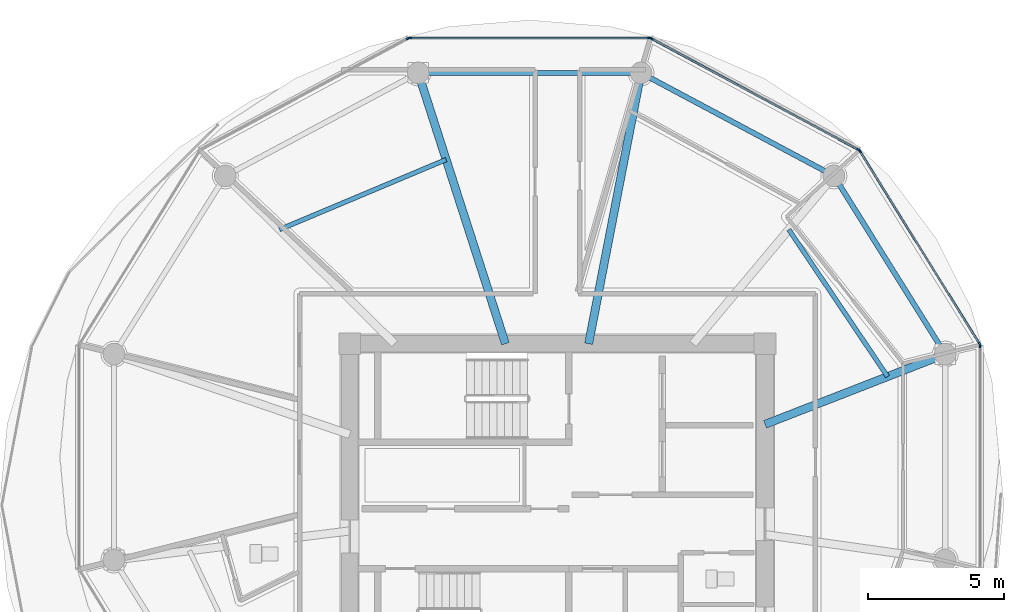
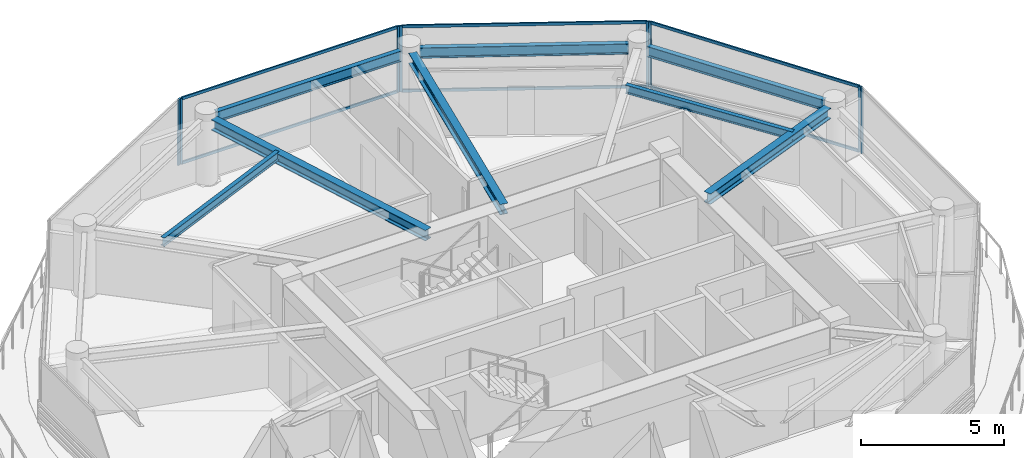
# One storey, part 10 of 28: 14 members, 8 beams, 5 elements without a shape of their own.
"""IFC4 building model written with IfcOpenShell, lengths in metres."""

from ifc_helpers import new_model, si_unit, direction, frame, origin, origin_2d, place, context, subcontext, project, spatial, rectangle, i_section, extrude, source, transform, mapped, material, layer, layer_set, material_profile, profile_set, type_object, type_shapes, element, aggregate, save


model = new_model("IFC4")

# Units and contexts
model_context = context("Model", 3, precision=1e-05, world=origin(), true_north=direction((0.0, 1.0)))
body_context = subcontext(model_context, "Body", "Model", "MODEL_VIEW")
ifc_project = project(units=[si_unit("LENGTHUNIT", "METRE"), si_unit("AREAUNIT", "SQUARE_METRE"), si_unit("VOLUMEUNIT", "CUBIC_METRE"), si_unit("PLANEANGLEUNIT", "RADIAN"), si_unit("MASSUNIT", "GRAM", prefix="KILO")], contexts=[model_context])

# Site, building, storey
site_placement = place(None, origin())
site = spatial("IfcSite", under=ifc_project, at=site_placement, CompositionType="ELEMENT")
building_placement = place(site_placement, origin())
building = spatial("IfcBuilding", under=site, at=building_placement, Name="Norrkilde Senior Care Towers", CompositionType="ELEMENT")
storey_placement = place(building_placement, frame((0.0, 0.0, 134.300048828125)))
storey = spatial("IfcBuildingStorey", under=building, at=storey_placement, Name="L41", CompositionType="ELEMENT", Elevation=134.300048828125)

# Beams
ifc_material_1 = material(Name="Steel S355", Category="steel")
ifc_material_profile_1 = material_profile(ifc_material_1, i_section(OverallWidth=0.18994140625, OverallDepth=0.449951171875, WebThickness=0.009521484375, FlangeThickness=0.0146484375, FilletRadius=0.02099609375, at=origin_2d()), Name="IPE 450")
ifc_profile_set_1 = profile_set([ifc_material_profile_1], Name="Steel S355")
beam_type_1 = type_object("IfcBeamType", Name="Perimeter Ring Spandrel Z3 IPE450", PredefinedType="SPANDREL", material=ifc_profile_set_1)
shared_shape_1 = source(origin(), body_context, "Body", "SweptSolid", [
    extrude(i_section(OverallWidth=0.18994140625, OverallDepth=0.449951171875, WebThickness=0.009521484375, FlangeThickness=0.0146484375, FilletRadius=0.02099609375, at=origin_2d()), origin(), (0.0, 0.0, 1.0), 7.0234375),
])
beam_1_placement = place(storey_placement, frame((42.09423828125, 5.872314453125, 2.5849609375), z_axis=(-0.529789577822, 0.848129119433, 0.0), x_axis=(-0.848129119433, -0.529789577822, 0.0)))
element("IfcBeam", 1, at=beam_1_placement, inside=storey, type_object=beam_type_1, Name="L41 Drum E Perimeter Spandrel 01", PredefinedType="SPANDREL", context=body_context, shape_type="MappedRepresentation", body=[
    mapped(shared_shape_1, transform((0.0, 0.0, 0.0), x_axis=(1.0, 0.0, 0.0), y_axis=(0.0, 1.0, 0.0), z_axis=(0.0, 0.0, 1.0), scale=1.0)),
])
shared_shape_2 = source(origin(), body_context, "Body", "SweptSolid", [
    extrude(i_section(OverallWidth=0.18994140625, OverallDepth=0.449951171875, WebThickness=0.009521484375, FlangeThickness=0.0146484375, FilletRadius=0.02099609375, at=origin_2d()), origin(), (0.0, 0.0, 1.0), 7.333740234375),
])
beam_2_placement = place(storey_placement, frame((37.864990234375, 12.303955078125, 2.5849609375), z_axis=(-0.882247866069, 0.470785198172, 0.0), x_axis=(-0.470785198172, -0.882247866069, 0.0)))
element("IfcBeam", 2, at=beam_2_placement, inside=storey, type_object=beam_type_1, Name="L41 Drum E Perimeter Spandrel 02", PredefinedType="SPANDREL", context=body_context, shape_type="MappedRepresentation", body=[
    mapped(shared_shape_2, transform((0.0, 0.0, 0.0), x_axis=(1.0, 0.0, 0.0), y_axis=(0.0, 1.0, 0.0), z_axis=(0.0, 0.0, 1.0), scale=1.0)),
])
shared_shape_3 = source(origin(), body_context, "Body", "SweptSolid", [
    extrude(i_section(OverallWidth=0.18994140625, OverallDepth=0.449951171875, WebThickness=0.009521484375, FlangeThickness=0.0146484375, FilletRadius=0.02099609375, at=origin_2d()), origin(), (0.0, 0.0, 1.0), 7.484619140625),
])
type_shapes(beam_type_1, [shared_shape_1, shared_shape_2, shared_shape_3])
beam_3_placement = place(storey_placement, frame((30.71728515625, 15.92626953125, 2.5849609375), z_axis=(-1.0, 0.0, 0.0), x_axis=(0.0, -1.0, 0.0)))
element("IfcBeam", 3, at=beam_3_placement, inside=storey, type_object=beam_type_1, Name="L41 Drum E Perimeter Spandrel 03", PredefinedType="SPANDREL", context=body_context, shape_type="MappedRepresentation", body=[
    mapped(shared_shape_3, transform((0.0, 0.0, 0.0), x_axis=(1.0, 0.0, 0.0), y_axis=(0.0, 1.0, 0.0), z_axis=(0.0, 0.0, 1.0), scale=1.0)),
])
ifc_material_profile_2 = material_profile(ifc_material_1, i_section(OverallWidth=0.300048828125, OverallDepth=0.449951171875, WebThickness=0.013916015625, FlangeThickness=0.02587890625, FilletRadius=0.027099609375, at=origin_2d()), Name="HEB 450")
ifc_profile_set_2 = profile_set([ifc_material_profile_2], Name="Steel S355")
beam_type_2 = type_object("IfcBeamType", Name="Radial Floor Beam Z3 HEB450", PredefinedType="BEAM", material=ifc_profile_set_2)
shared_shape_4 = source(origin(), body_context, "Body", "SweptSolid", [
    extrude(i_section(OverallWidth=0.300048828125, OverallDepth=0.449951171875, WebThickness=0.013916015625, FlangeThickness=0.02587890625, FilletRadius=0.027099609375, at=origin_2d()), origin(), (0.0, 0.0, 1.0), 10.120361328125),
])
beam_4_placement = place(storey_placement, frame((26.08447265625, 5.949951171875, 2.5849609375), z_axis=(-0.306440973744, 0.951889662519, 0.0), x_axis=(-0.951889662519, -0.306440973744, 0.0)))
element("IfcBeam", 4, at=beam_4_placement, inside=storey, type_object=beam_type_2, Name="L41 Drum E Radial Floor Beam 04", PredefinedType="BEAM", context=body_context, shape_type="MappedRepresentation", body=[
    mapped(shared_shape_4, transform((0.0, 0.0, 0.0), x_axis=(1.0, 0.0, 0.0), y_axis=(0.0, 1.0, 0.0), z_axis=(0.0, 0.0, 1.0), scale=1.0)),
])
shared_shape_5 = source(origin(), body_context, "Body", "SweptSolid", [
    extrude(i_section(OverallWidth=0.300048828125, OverallDepth=0.449951171875, WebThickness=0.013916015625, FlangeThickness=0.02587890625, FilletRadius=0.027099609375, at=origin_2d()), origin(), (0.0, 0.0, 1.0), 9.80078125),
])
beam_5_placement = place(storey_placement, frame((29.149658203125, 5.949951171875, 2.5849609375), z_axis=(0.189716727661, 0.98183886827, 0.0), x_axis=(-0.98183886827, 0.189716727661, 0.0)))
element("IfcBeam", 5, at=beam_5_placement, inside=storey, type_object=beam_type_2, Name="L41 Drum E Radial Floor Beam 03", PredefinedType="BEAM", context=body_context, shape_type="MappedRepresentation", body=[
    mapped(shared_shape_5, transform((0.0, 0.0, 0.0), x_axis=(1.0, 0.0, 0.0), y_axis=(0.0, 1.0, 0.0), z_axis=(0.0, 0.0, 1.0), scale=1.0)),
])
shared_shape_6 = source(origin(), body_context, "Body", "SweptSolid", [
    extrude(i_section(OverallWidth=0.300048828125, OverallDepth=0.449951171875, WebThickness=0.013916015625, FlangeThickness=0.02587890625, FilletRadius=0.027099609375, at=origin_2d()), origin(), (0.0, 0.0, 1.0), 6.760986328125),
])
type_shapes(beam_type_2, [shared_shape_4, shared_shape_5, shared_shape_6])
beam_6_placement = place(storey_placement, frame((35.64990234375, 2.981201171875, 2.5849609375), z_axis=(0.931742171387, 0.363120539297, 0.0), x_axis=(-0.363120539297, 0.931742171387, 0.0)))
element("IfcBeam", 6, at=beam_6_placement, inside=storey, type_object=beam_type_2, Name="L41 Drum E Radial Floor Beam 01", PredefinedType="BEAM", context=body_context, shape_type="MappedRepresentation", body=[
    mapped(shared_shape_6, transform((0.0, 0.0, 0.0), x_axis=(1.0, 0.0, 0.0), y_axis=(0.0, 1.0, 0.0), z_axis=(0.0, 0.0, 1.0), scale=1.0)),
])
ifc_material_profile_3 = material_profile(ifc_material_1, i_section(OverallWidth=0.169921875, OverallDepth=0.360107421875, WebThickness=0.008056640625, FlangeThickness=0.0126953125, FilletRadius=0.01806640625, at=origin_2d()), Name="IPE 360")
ifc_profile_set_3 = profile_set([ifc_material_profile_3], Name="Steel S355")
beam_type_3 = type_object("IfcBeamType", Name="Secondary Floor Joist IPE360", PredefinedType="JOIST", material=ifc_profile_set_3)
shared_shape_7 = source(origin(), body_context, "Body", "SweptSolid", [
    extrude(i_section(OverallWidth=0.169921875, OverallDepth=0.360107421875, WebThickness=0.008056640625, FlangeThickness=0.0126953125, FilletRadius=0.01806640625, at=origin_2d()), origin(), (0.0, 0.0, 1.0), 6.657470703125),
])
beam_7_placement = place(storey_placement, frame((23.900390625, 12.73388671875, 2.6298828125), z_axis=(-0.921958799252, -0.387287971, 0.0), x_axis=(0.387287971, -0.921958799252, 0.0)))
element("IfcBeam", 7, at=beam_7_placement, inside=storey, type_object=beam_type_3, Name="L41 Drum E Secondary Floor Joist 2", PredefinedType="JOIST", context=body_context, shape_type="MappedRepresentation", body=[
    mapped(shared_shape_7, transform((0.0, 0.0, 0.0), x_axis=(1.0, 0.0, 0.0), y_axis=(0.0, 1.0, 0.0), z_axis=(0.0, 0.0, 1.0), scale=1.0)),
])
shared_shape_8 = source(origin(), body_context, "Body", "SweptSolid", [
    extrude(i_section(OverallWidth=0.169921875, OverallDepth=0.360107421875, WebThickness=0.008056640625, FlangeThickness=0.0126953125, FilletRadius=0.01806640625, at=origin_2d()), origin(), (0.0, 0.0, 1.0), 6.525390625),
])
type_shapes(beam_type_3, [shared_shape_7, shared_shape_8])
beam_8_placement = place(storey_placement, frame((40.161865234375, 4.739501953125, 2.6298828125), z_axis=(-0.55779590102, 0.829978152005, 0.0), x_axis=(-0.829978152005, -0.55779590102, 0.0)))
element("IfcBeam", 8, at=beam_8_placement, inside=storey, type_object=beam_type_3, Name="L41 Drum E Secondary Floor Joist 1", PredefinedType="JOIST", context=body_context, shape_type="MappedRepresentation", body=[
    mapped(shared_shape_8, transform((0.0, 0.0, 0.0), x_axis=(1.0, 0.0, 0.0), y_axis=(0.0, 1.0, 0.0), z_axis=(0.0, 0.0, 1.0), scale=1.0)),
])

# Curtain wall, members
ifc_material_2 = material(Name="Triple Low-E Insulated Glazing", Category="glass")
ifc_layer = layer(ifc_material_2, 0.18994140625)
ifc_layer_set = layer_set([ifc_layer], Name="Triple Low-E Insulated Glazing")
curtain_wall_type = type_object("IfcCurtainWallType", Name="CW4 Zone 3 Senior Residence Curtain Wall", PredefinedType="NOTDEFINED", material=ifc_layer_set)
curtain_wall_1_placement = place(storey_placement, origin())
curtain_wall_1 = element("IfcCurtainWall", 9, at=curtain_wall_1_placement, inside=storey, type_object=curtain_wall_type, Name="L41 Drum E Curtain Wall 00", PredefinedType="NOTDEFINED")
ifc_material_3 = material(Name="Anodised Aluminium", Category="aluminium")
ifc_material_profile_4 = material_profile(ifc_material_3, rectangle(XDim=0.06494140625, YDim=0.14990234375, at=origin_2d()), Name="ALU MULL 65x150")
ifc_profile_set_4 = profile_set([ifc_material_profile_4], Name="Anodised Aluminium")
member_type_1 = type_object("IfcMemberType", Name="Curtain Wall Mullion Z3-Z4 65x150", PredefinedType="MULLION", material=ifc_profile_set_4)
shared_shape_9 = source(origin(), body_context, "Body", "SweptSolid", [
    extrude(rectangle(XDim=0.06494140625, YDim=0.14990234375, at=origin_2d()), origin(), (0.0, 0.0, 1.0), 2.81005859375),
])
type_shapes(member_type_1, [shared_shape_9])
member_1_placement = place(storey_placement, frame((39.14013671875, 13.04736328125, 0.0), z_axis=(0.0, 0.0, 1.0), x_axis=(0.84963405474, 0.52737270789, 0.0)))
member_1 = element("IfcMember", 10, at=member_1_placement, type_object=member_type_1, Name="CW-4 mullion 1", PredefinedType="MULLION", context=body_context, shape_type="MappedRepresentation", body=[
    mapped(shared_shape_9, transform((0.0, 0.0, 0.0), x_axis=(1.0, 0.0, 0.0), y_axis=(0.0, 1.0, 0.0), z_axis=(0.0, 0.0, 1.0), scale=1.0)),
])
member_2_placement = place(storey_placement, frame((43.552490234375, 5.93896484375, 0.0), z_axis=(0.0, 0.0, 1.0), x_axis=(0.84963405474, 0.52737270789, 0.0)))
member_2 = element("IfcMember", 11, at=member_2_placement, type_object=member_type_1, Name="CW-4 mullion 2", PredefinedType="MULLION", context=body_context, shape_type="MappedRepresentation", body=[
    mapped(shared_shape_9, transform((0.0, 0.0, 0.0), x_axis=(1.0, 0.0, 0.0), y_axis=(0.0, 1.0, 0.0), z_axis=(0.0, 0.0, 1.0), scale=1.0)),
])

curtain_wall_2_placement = place(storey_placement, origin())
curtain_wall_2 = element("IfcCurtainWall", 12, at=curtain_wall_2_placement, inside=storey, type_object=curtain_wall_type, Name="L41 Drum E Curtain Wall 01", PredefinedType="NOTDEFINED")
member_3_placement = place(storey_placement, frame((31.4501953125, 17.195556640625, 0.0), z_axis=(0.0, 0.0, 1.0), x_axis=(0.47311715104, 0.880999524059, 0.0)))
member_3 = element("IfcMember", 13, at=member_3_placement, type_object=member_type_1, Name="CW-4 mullion 1", PredefinedType="MULLION", context=body_context, shape_type="MappedRepresentation", body=[
    mapped(shared_shape_9, transform((0.0, 0.0, 0.0), x_axis=(1.0, 0.0, 0.0), y_axis=(0.0, 1.0, 0.0), z_axis=(0.0, 0.0, 1.0), scale=1.0)),
])
member_4_placement = place(storey_placement, frame((39.094482421875, 13.09033203125, 0.0), z_axis=(0.0, 0.0, 1.0), x_axis=(0.47311715104, 0.880999524059, 0.0)))
member_4 = element("IfcMember", 14, at=member_4_placement, type_object=member_type_1, Name="CW-4 mullion 2", PredefinedType="MULLION", context=body_context, shape_type="MappedRepresentation", body=[
    mapped(shared_shape_9, transform((0.0, 0.0, 0.0), x_axis=(1.0, 0.0, 0.0), y_axis=(0.0, 1.0, 0.0), z_axis=(0.0, 0.0, 1.0), scale=1.0)),
])

curtain_wall_3_placement = place(storey_placement, origin())
curtain_wall_3 = element("IfcCurtainWall", 15, at=curtain_wall_3_placement, inside=storey, type_object=curtain_wall_type, Name="L41 Drum E Curtain Wall 02", PredefinedType="NOTDEFINED")
member_5_placement = place(storey_placement, frame((22.56103515625, 17.2109375, 0.0), z_axis=(0.0, 0.0, 1.0), x_axis=(0.0, 1.0, 0.0)))
member_5 = element("IfcMember", 16, at=member_5_placement, type_object=member_type_1, Name="CW-4 mullion 1", PredefinedType="MULLION", context=body_context, shape_type="MappedRepresentation", body=[
    mapped(shared_shape_9, transform((0.0, 0.0, 0.0), x_axis=(1.0, 0.0, 0.0), y_axis=(0.0, 1.0, 0.0), z_axis=(0.0, 0.0, 1.0), scale=1.0)),
])
member_6_placement = place(storey_placement, frame((31.388916015625, 17.2109375, 0.0), z_axis=(0.0, 0.0, 1.0), x_axis=(0.0, 1.0, 0.0)))
member_6 = element("IfcMember", 17, at=member_6_placement, type_object=member_type_1, Name="CW-4 mullion 2", PredefinedType="MULLION", context=body_context, shape_type="MappedRepresentation", body=[
    mapped(shared_shape_9, transform((0.0, 0.0, 0.0), x_axis=(1.0, 0.0, 0.0), y_axis=(0.0, 1.0, 0.0), z_axis=(0.0, 0.0, 1.0), scale=1.0)),
])

# Curtain wall, member
curtain_wall_4_placement = place(storey_placement, origin())
curtain_wall_4 = element("IfcCurtainWall", 18, at=curtain_wall_4_placement, inside=storey, type_object=curtain_wall_type, Name="L41 Drum E Curtain Wall 03", PredefinedType="NOTDEFINED")
member_7_placement = place(storey_placement, frame((22.499755859375, 17.195556640625, 0.0), z_axis=(0.0, 0.0, 1.0), x_axis=(-0.47311715104, 0.880999524059, 0.0)))
member_7 = element("IfcMember", 19, at=member_7_placement, type_object=member_type_1, Name="CW-4 mullion 2", PredefinedType="MULLION", context=body_context, shape_type="MappedRepresentation", body=[
    mapped(shared_shape_9, transform((0.0, 0.0, 0.0), x_axis=(1.0, 0.0, 0.0), y_axis=(0.0, 1.0, 0.0), z_axis=(0.0, 0.0, 1.0), scale=1.0)),
])
aggregate(curtain_wall_4, [member_7])

curtain_wall_5_placement = place(storey_placement, origin())
curtain_wall_5 = element("IfcCurtainWall", 20, at=curtain_wall_5_placement, inside=storey, type_object=curtain_wall_type, Name="L41 Drum E Curtain Wall 11", PredefinedType="NOTDEFINED")
member_8_placement = place(storey_placement, frame((43.569580078125, 5.878662109375, 0.0), z_axis=(0.0, 0.0, 1.0), x_axis=(1.0, 0.0, 0.0)))
member_8 = element("IfcMember", 21, at=member_8_placement, type_object=member_type_1, Name="CW-4 mullion 1", PredefinedType="MULLION", context=body_context, shape_type="MappedRepresentation", body=[
    mapped(shared_shape_9, transform((0.0, 0.0, 0.0), x_axis=(1.0, 0.0, 0.0), y_axis=(0.0, 1.0, 0.0), z_axis=(0.0, 0.0, 1.0), scale=1.0)),
])
aggregate(curtain_wall_5, [member_8])

# Member
ifc_material_profile_5 = material_profile(ifc_material_3, rectangle(XDim=0.06005859375, YDim=0.1201171875, at=origin_2d()), Name="ALU TRAN 60x120")
ifc_profile_set_5 = profile_set([ifc_material_profile_5], Name="Anodised Aluminium")
member_type_2 = type_object("IfcMemberType", Name="Curtain Wall Transom Typical 60x120", PredefinedType="USERDEFINED", material=ifc_profile_set_5)
shared_shape_10 = source(origin(), body_context, "Body", "SweptSolid", [
    extrude(rectangle(XDim=0.06005859375, YDim=0.1201171875, at=origin_2d()), origin(), (0.0, 0.0, 1.0), 8.301513671875),
])
member_9_placement = place(storey_placement, frame((39.157470703125, 13.019775390625, 0.030029296875), z_axis=(0.527368718394, -0.849636531029, 0.0), x_axis=(0.849636531029, 0.527368718394, 0.0)))
member_9 = element("IfcMember", 22, at=member_9_placement, type_object=member_type_2, Name="CW-4 transom 1.1", ObjectType="TRANSOM", PredefinedType="USERDEFINED", context=body_context, shape_type="MappedRepresentation", body=[
    mapped(shared_shape_10, transform((0.0, 0.0, 0.0), x_axis=(1.0, 0.0, 0.0), y_axis=(0.0, 1.0, 0.0), z_axis=(0.0, 0.0, 1.0), scale=1.0)),
])

member_10_placement = place(storey_placement, frame((39.157470703125, 13.019775390625, 2.780029296875), z_axis=(0.527368718394, -0.849636531029, 0.0), x_axis=(0.849636531029, 0.527368718394, 0.0)))
member_10 = element("IfcMember", 23, at=member_10_placement, type_object=member_type_2, Name="CW-4 transom 1.2", ObjectType="TRANSOM", PredefinedType="USERDEFINED", context=body_context, shape_type="MappedRepresentation", body=[
    mapped(shared_shape_10, transform((0.0, 0.0, 0.0), x_axis=(1.0, 0.0, 0.0), y_axis=(0.0, 1.0, 0.0), z_axis=(0.0, 0.0, 1.0), scale=1.0)),
])

aggregate(curtain_wall_1, [member_1, member_2, member_9, member_10])

shared_shape_11 = source(origin(), body_context, "Body", "SweptSolid", [
    extrude(rectangle(XDim=0.06005859375, YDim=0.1201171875, at=origin_2d()), origin(), (0.0, 0.0, 1.0), 8.762939453125),
])
member_11_placement = place(storey_placement, frame((22.593505859375, 17.2109375, 0.030029296875), z_axis=(1.0, 0.0, 0.0), x_axis=(0.0, 1.0, 0.0)))
member_11 = element("IfcMember", 24, at=member_11_placement, type_object=member_type_2, Name="CW-4 transom 1.1", ObjectType="TRANSOM", PredefinedType="USERDEFINED", context=body_context, shape_type="MappedRepresentation", body=[
    mapped(shared_shape_11, transform((0.0, 0.0, 0.0), x_axis=(1.0, 0.0, 0.0), y_axis=(0.0, 1.0, 0.0), z_axis=(0.0, 0.0, 1.0), scale=1.0)),
])

member_12_placement = place(storey_placement, frame((22.593505859375, 17.2109375, 2.780029296875), z_axis=(1.0, 0.0, 0.0), x_axis=(0.0, 1.0, 0.0)))
member_12 = element("IfcMember", 25, at=member_12_placement, type_object=member_type_2, Name="CW-4 transom 1.2", ObjectType="TRANSOM", PredefinedType="USERDEFINED", context=body_context, shape_type="MappedRepresentation", body=[
    mapped(shared_shape_11, transform((0.0, 0.0, 0.0), x_axis=(1.0, 0.0, 0.0), y_axis=(0.0, 1.0, 0.0), z_axis=(0.0, 0.0, 1.0), scale=1.0)),
])

aggregate(curtain_wall_3, [member_5, member_6, member_11, member_12])

shared_shape_12 = source(origin(), body_context, "Body", "SweptSolid", [
    extrude(rectangle(XDim=0.06005859375, YDim=0.1201171875, at=origin_2d()), origin(), (0.0, 0.0, 1.0), 8.612060546875),
])
type_shapes(member_type_2, [shared_shape_10, shared_shape_11, shared_shape_12])
member_13_placement = place(storey_placement, frame((31.478759765625, 17.18017578125, 0.030029296875), z_axis=(0.881000337462, -0.473115636384, 0.0), x_axis=(0.473115636384, 0.881000337462, 0.0)))
member_13 = element("IfcMember", 26, at=member_13_placement, type_object=member_type_2, Name="CW-4 transom 1.1", ObjectType="TRANSOM", PredefinedType="USERDEFINED", context=body_context, shape_type="MappedRepresentation", body=[
    mapped(shared_shape_12, transform((0.0, 0.0, 0.0), x_axis=(1.0, 0.0, 0.0), y_axis=(0.0, 1.0, 0.0), z_axis=(0.0, 0.0, 1.0), scale=1.0)),
])

member_14_placement = place(storey_placement, frame((31.478759765625, 17.18017578125, 2.780029296875), z_axis=(0.881000337462, -0.473115636384, 0.0), x_axis=(0.473115636384, 0.881000337462, 0.0)))
member_14 = element("IfcMember", 27, at=member_14_placement, type_object=member_type_2, Name="CW-4 transom 1.2", ObjectType="TRANSOM", PredefinedType="USERDEFINED", context=body_context, shape_type="MappedRepresentation", body=[
    mapped(shared_shape_12, transform((0.0, 0.0, 0.0), x_axis=(1.0, 0.0, 0.0), y_axis=(0.0, 1.0, 0.0), z_axis=(0.0, 0.0, 1.0), scale=1.0)),
])

aggregate(curtain_wall_2, [member_3, member_4, member_13, member_14])

save(model, "model.ifc")
